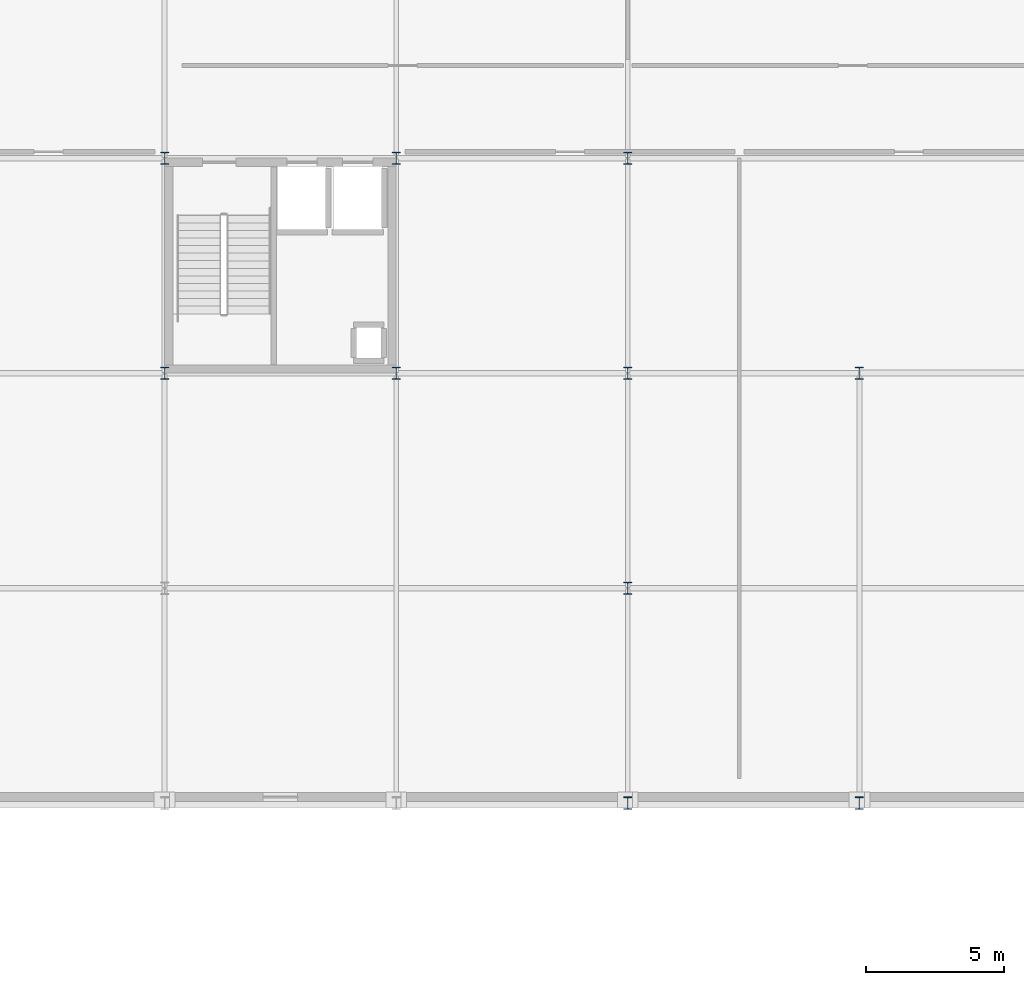
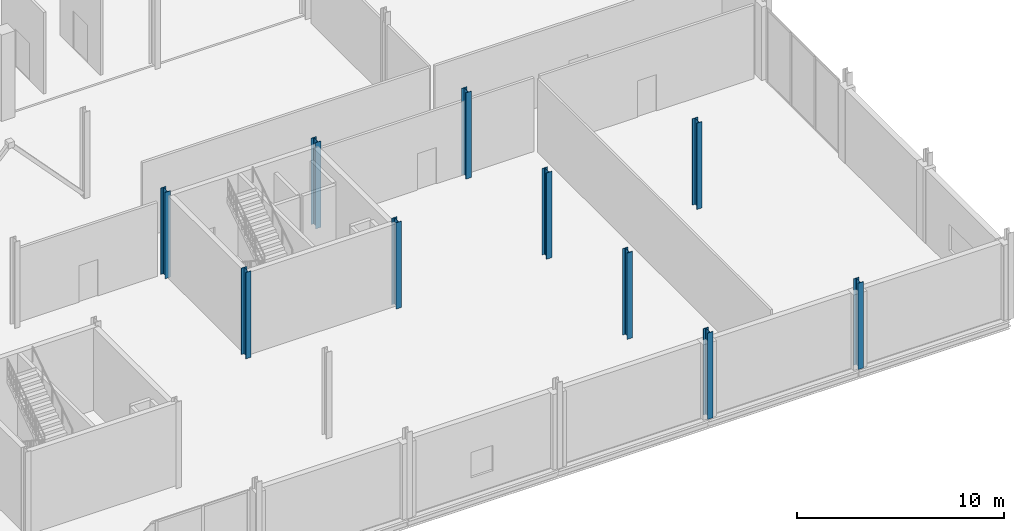
# One storey, part 16 of 105: 10 columns.
"""IFC4 building model written with IfcOpenShell, lengths in metres."""

from ifc_helpers import new_model, si_unit, direction, frame, origin, origin_2d, place, context, subcontext, project, spatial, i_section, extrude, material, material_profile, profile_set, type_object, element, save


model = new_model("IFC4")

# Units and contexts
model_context = context("Model", 3, precision=1e-05, world=origin(), true_north=direction((0.0, 1.0)))
body_context = subcontext(model_context, "Body", "Model", "MODEL_VIEW")
ifc_project = project(units=[si_unit("LENGTHUNIT", "METRE"), si_unit("AREAUNIT", "SQUARE_METRE"), si_unit("VOLUMEUNIT", "CUBIC_METRE"), si_unit("PLANEANGLEUNIT", "RADIAN"), si_unit("MASSUNIT", "GRAM", prefix="KILO")], contexts=[model_context])

# Site, building, storey
site_placement = place(None, origin())
site = spatial("IfcSite", under=ifc_project, at=site_placement, CompositionType="ELEMENT")
building_placement = place(site_placement, origin())
building = spatial("IfcBuilding", under=site, at=building_placement, Name="Nabrawat Pavilion Hospital", CompositionType="ELEMENT")
storey_placement = place(building_placement, frame((0.0, 0.0, 5.10009765625)))
storey = spatial("IfcBuildingStorey", under=building, at=storey_placement, Name="L01", CompositionType="ELEMENT", Elevation=5.10009765625)

# Columns
ifc_material = material(Name="Steel S355", Category="steel")
ifc_material_profile = material_profile(ifc_material, i_section(OverallWidth=0.300048828125, OverallDepth=0.449951171875, WebThickness=0.013916015625, FlangeThickness=0.02587890625, FilletRadius=0.027099609375, at=origin_2d()), Name="HEB 450")
ifc_profile_set = profile_set([ifc_material_profile], Name="Steel S355")
column_type = type_object("IfcColumnType", Name="Composite Steel Column HEB 450", PredefinedType="COLUMN", material=ifc_profile_set)
for number, where, z_axis, x_axis, name in (
    (1, (159.60009765625, 15.60009765625, 0.0), (0.0, 0.0, 1.0), (1.0, 0.0, 0.0), "L01 Structural Column G-20-C"),
    (2, (159.60009765625, 23.39990234375, 0.0), (0.0, 0.0, 1.0), (1.0, 0.0, 0.0), "L01 Structural Column G-20-D"),
    (3, (168.0, 15.60009765625, 0.0), (0.0, 0.0, 1.0), (1.0, 0.0, 0.0), "L01 Structural Column G-21-C"),
    (4, (168.0, 23.39990234375, 0.0), (0.0, 0.0, 1.0), (1.0, 0.0, 0.0), "L01 Structural Column G-21-D"),
    (5, (176.39990234375, 0.0, 0.0), (0.0, 0.0, 1.0), (1.0, 0.0, 0.0), "L01 Structural Column G-22-A"),
    (6, (176.39990234375, 7.800048828125, 0.0), (0.0, 0.0, 1.0), (1.0, 0.0, 0.0), "L01 Structural Column G-22-B"),
    (7, (176.39990234375, 15.60009765625, 0.0), (0.0, 0.0, 1.0), (1.0, 0.0, 0.0), "L01 Structural Column G-22-C"),
    (8, (176.39990234375, 23.39990234375, 0.0), (0.0, 0.0, 1.0), (1.0, 0.0, 0.0), "L01 Structural Column G-22-D"),
    (9, (184.800048828125, 0.0, 0.0), (0.0, 0.0, 1.0), (1.0, 0.0, 0.0), "L01 Structural Column G-23-A"),
    (10, (184.800048828125, 15.60009765625, 0.0), (0.0, 0.0, 1.0), (1.0, 0.0, 0.0), "L01 Structural Column G-23-C"),
):
    element("IfcColumn", number, at=place(storey_placement, frame(where, z_axis=z_axis, x_axis=x_axis)), inside=storey, type_object=column_type, Name=name, PredefinedType="COLUMN", context=body_context, shape_type="SweptSolid", body=[
        extrude(i_section(OverallWidth=0.300048828125, OverallDepth=0.449951171875, WebThickness=0.013916015625, FlangeThickness=0.02587890625, FilletRadius=0.027099609375, at=origin_2d()), origin(), (0.0, 0.0, 1.0), 5.099853515625),
    ])

save(model, "model.ifc")
